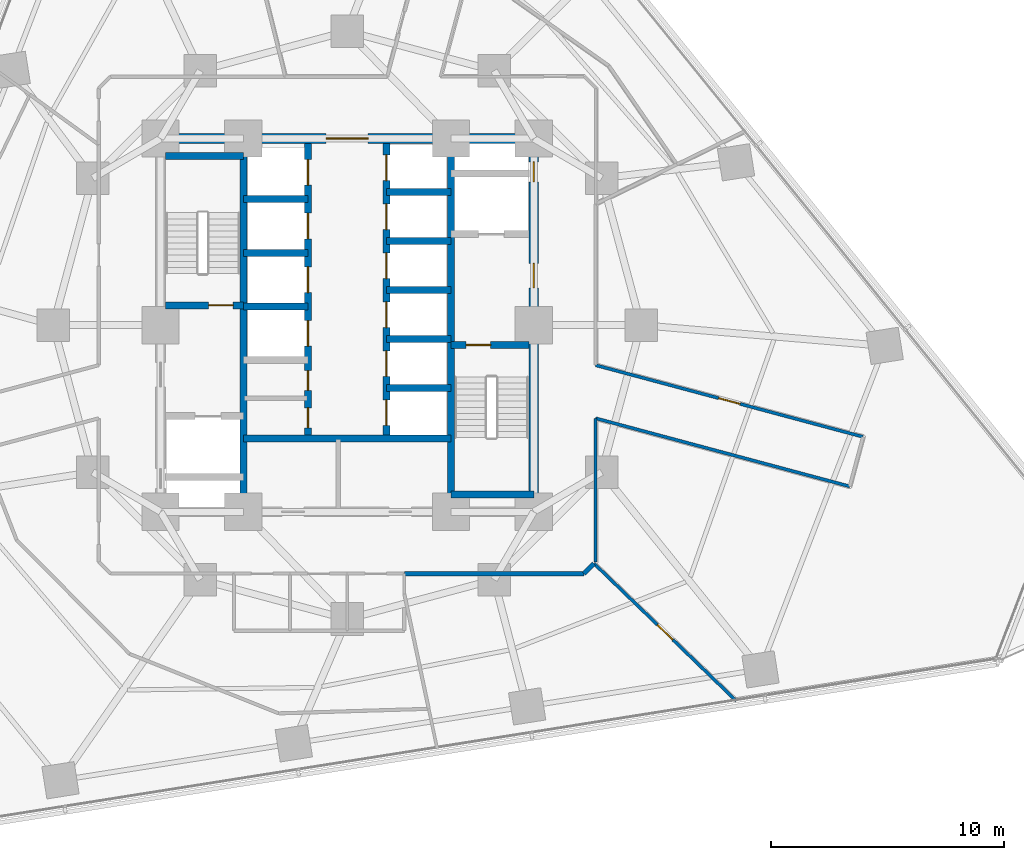
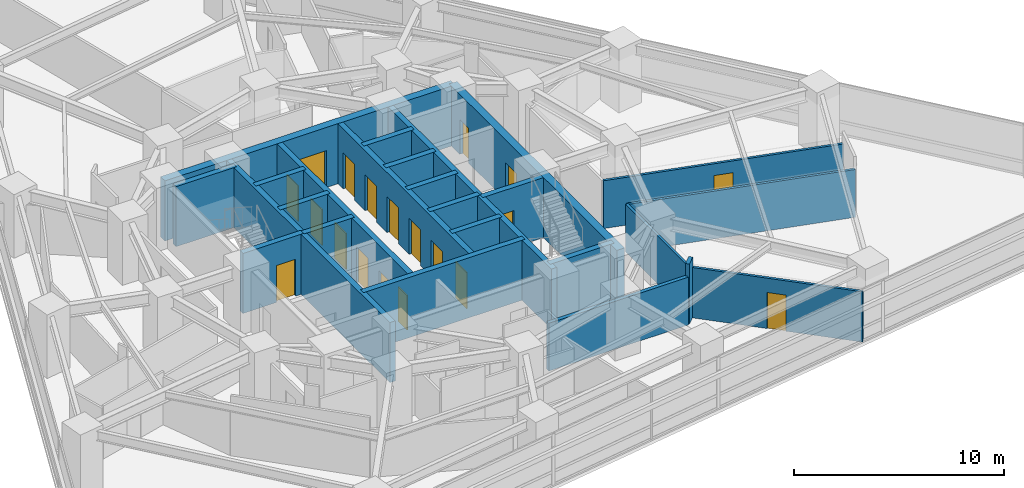
# One storey, part 8 of 14: 25 walls, 19 doors, 19 openings.
"""IFC4 building model written with IfcOpenShell, lengths in metres."""

from ifc_helpers import new_model, si_unit, direction, frame, frame_2d, origin, place, context, subcontext, project, spatial, rectangle, extrude, material, layer, layer_set, type_object, element, fill, save


model = new_model("IFC4")

# Units and contexts
model_context = context("Model", 3, precision=1e-05, world=origin(), true_north=direction((0.0, 1.0)))
body_context = subcontext(model_context, "Body", "Model", "MODEL_VIEW")
ifc_project = project(units=[si_unit("LENGTHUNIT", "METRE"), si_unit("AREAUNIT", "SQUARE_METRE"), si_unit("VOLUMEUNIT", "CUBIC_METRE"), si_unit("PLANEANGLEUNIT", "RADIAN"), si_unit("MASSUNIT", "GRAM", prefix="KILO")], contexts=[model_context])

# Site, building, storey
site_placement = place(None, origin())
site = spatial("IfcSite", under=ifc_project, at=site_placement, CompositionType="ELEMENT")
building_placement = place(site_placement, origin())
building = spatial("IfcBuilding", under=site, at=building_placement, Name="Terralouvre Media Tower", CompositionType="ELEMENT")
storey_placement = place(building_placement, frame((0.0, 0.0, 66.699951171875)))
storey = spatial("IfcBuildingStorey", under=building, at=storey_placement, Name="L16", CompositionType="ELEMENT", Elevation=66.699951171875)

# Walls
ifc_material_1 = material(Name="Concrete C50/60", Category="concrete")
ifc_layer_1 = layer(ifc_material_1, 0.300048828125, Name="Core Internal Shaft Wall CW-300")
ifc_layer_set_1 = layer_set([ifc_layer_1], Name="Concrete C50/60")
wall_type_1 = type_object("IfcWallType", Name="Core Internal Shaft Wall CW-300", PredefinedType="SHEAR", material=ifc_layer_set_1)
for number, where, z_axis, x_axis, name in (
    (1, (-4.449951171875, -7.7900390625, 0.0), (0.0, 0.0, 1.0), (0.0, 1.0, 0.0), "L16 Core Shaft Wall SPW"),
    (2, (4.449951171875, -7.7900390625, 0.0), (0.0, 0.0, 1.0), (0.0, 1.0, 0.0), "L16 Core Shaft Wall SPE"),
):
    element("IfcWall", number, at=place(storey_placement, frame(where, z_axis=z_axis, x_axis=x_axis)), inside=storey, type_object=wall_type_1, Name=name, PredefinedType="SHEAR", context=body_context, shape_type="SweptSolid", body=[
        extrude(rectangle(XDim=15.580078125, YDim=0.300048828125, at=frame_2d((7.7900390625, 0.0))), origin(), (0.0, 0.0, 1.0), 3.5),
    ])

# Wall, opening, door
wall_1_placement = place(storey_placement, frame((-7.7900390625, 0.85009765625, 0.0), z_axis=(0.0, 0.0, 1.0), x_axis=(1.0, 0.0, 0.0)))
wall_1 = element("IfcWall", 3, at=wall_1_placement, inside=storey, type_object=wall_type_1, Name="L16 Core Shaft Wall ST1D", PredefinedType="SHEAR", context=body_context, shape_type="SweptSolid", body=[
    extrude(rectangle(XDim=3.340087890625, YDim=0.300048828125, at=frame_2d((1.669921875, 0.0))), origin(), (0.0, 0.0, 1.0), 3.5),
])
opening_1_placement = place(wall_1_placement, frame((1.85009765625, 0.0, 0.0)))
opening_1 = element("IfcOpeningElement", 4, at=opening_1_placement, cuts=wall_1, Name="Opening FD-01-105X215", PredefinedType="OPENING", context=body_context, shape_type="SweptSolid", body=[
    extrude(rectangle(XDim=1.050048828125, YDim=2.14990234375, at=frame_2d((0.52490234375, 1.074951171875))), frame((0.0, 0.159912109375, 0.0), z_axis=(0.0, -1.0, 0.0), x_axis=(1.0, 0.0, 0.0)), (0.0, 0.0, 1.0), 0.320068359375),
])
ifc_material_2 = material(Name="Galvanised steel fire-resisting leaf", Category="steel")
door_type_1 = type_object("IfcDoorType", Name="Stair and Firefighting Lobby Fire Door FD-01 (1050x2150)", OperationType="NOTDEFINED", PredefinedType="DOOR", material=ifc_material_2)
door_1_placement = place(opening_1_placement, origin())
door_1 = element("IfcDoor", 5, at=door_1_placement, inside=storey, type_object=door_type_1, Name="L16 ST-01 Exit Stair Door", OperationType="SINGLE_SWING_LEFT", OverallHeight=2.14990234375, OverallWidth=1.050048828125, PredefinedType="DOOR", context=body_context, shape_type="SweptSolid", body=[
    extrude(rectangle(XDim=1.050048828125, YDim=2.14990234375, at=frame_2d((0.52490234375, 1.074951171875))), frame((0.0, 0.02490234375, 0.0), z_axis=(0.0, -1.0, 0.0), x_axis=(1.0, 0.0, 0.0)), (0.0, 0.0, 1.0), 0.050048828125),
])
fill(opening_1, door_1)

# Wall
wall_2_placement = place(storey_placement, frame((-7.7900390625, 7.260009765625, 0.0), z_axis=(0.0, 0.0, 1.0), x_axis=(1.0, 0.0, 0.0)))
element("IfcWall", 6, at=wall_2_placement, inside=storey, type_object=wall_type_1, Name="L16 Core Shaft Wall ST1F", PredefinedType="SHEAR", context=body_context, shape_type="SweptSolid", body=[
    extrude(rectangle(XDim=3.340087890625, YDim=0.300048828125, at=frame_2d((1.669921875, 0.0))), origin(), (0.0, 0.0, 1.0), 3.5),
])

# Wall, opening, door
wall_3_placement = place(storey_placement, frame((4.449951171875, -0.85009765625, 0.0), z_axis=(0.0, 0.0, 1.0), x_axis=(1.0, 0.0, 0.0)))
wall_3 = element("IfcWall", 7, at=wall_3_placement, inside=storey, type_object=wall_type_1, Name="L16 Core Shaft Wall ST2D", PredefinedType="SHEAR", context=body_context, shape_type="SweptSolid", body=[
    extrude(rectangle(XDim=3.340087890625, YDim=0.300048828125, at=frame_2d((1.669921875, 0.0))), origin(), (0.0, 0.0, 1.0), 3.5),
])
opening_2_placement = place(wall_3_placement, frame((0.64990234375, 0.0, 0.0)))
opening_2 = element("IfcOpeningElement", 8, at=opening_2_placement, cuts=wall_3, Name="Opening FD-01-105X215", PredefinedType="OPENING", context=body_context, shape_type="SweptSolid", body=[
    extrude(rectangle(XDim=1.050048828125, YDim=2.14990234375, at=frame_2d((0.52490234375, 1.074951171875))), frame((0.0, 0.159912109375, 0.0), z_axis=(0.0, -1.0, 0.0), x_axis=(1.0, 0.0, 0.0)), (0.0, 0.0, 1.0), 0.320068359375),
])
door_2_placement = place(opening_2_placement, origin())
door_2 = element("IfcDoor", 9, at=door_2_placement, inside=storey, type_object=door_type_1, Name="L16 ST-02 Exit Stair Door", OperationType="SINGLE_SWING_RIGHT", OverallHeight=2.14990234375, OverallWidth=1.050048828125, PredefinedType="DOOR", context=body_context, shape_type="SweptSolid", body=[
    extrude(rectangle(XDim=1.050048828125, YDim=2.14990234375, at=frame_2d((0.52490234375, 1.074951171875))), frame((0.0, 0.02490234375, 0.0), z_axis=(0.0, -1.0, 0.0), x_axis=(1.0, 0.0, 0.0)), (0.0, 0.0, 1.0), 0.050048828125),
])
fill(opening_2, door_2)

# Walls
wall_4_placement = place(storey_placement, frame((4.449951171875, -7.260009765625, 0.0), z_axis=(0.0, 0.0, 1.0), x_axis=(1.0, 0.0, 0.0)))
element("IfcWall", 10, at=wall_4_placement, inside=storey, type_object=wall_type_1, Name="L16 Core Shaft Wall ST2F", PredefinedType="SHEAR", context=body_context, shape_type="SweptSolid", body=[
    extrude(rectangle(XDim=3.550048828125, YDim=0.300048828125, at=frame_2d((1.77490234375, 0.0))), origin(), (0.0, 0.0, 1.0), 3.5),
])
wall_5_placement = place(storey_placement, frame((-4.449951171875, -4.85009765625, 0.0), z_axis=(0.0, 0.0, 1.0), x_axis=(1.0, 0.0, 0.0)))
element("IfcWall", 11, at=wall_5_placement, inside=storey, type_object=wall_type_1, Name="L16 Core Shaft Wall CSBN", PredefinedType="SHEAR", context=body_context, shape_type="SweptSolid", body=[
    extrude(rectangle(XDim=8.89990234375, YDim=0.300048828125, at=frame_2d((4.449951171875, 0.0))), origin(), (0.0, 0.0, 1.0), 3.5),
])

# Wall, openings, doors
wall_6_placement = place(storey_placement, frame((-1.679931640625, -4.85009765625, 0.0), z_axis=(0.0, 0.0, 1.0), x_axis=(0.0, 1.0, 0.0)))
wall_6 = element("IfcWall", 12, at=wall_6_placement, inside=storey, type_object=wall_type_1, Name="L16 Core Shaft Wall LBW", PredefinedType="SHEAR", context=body_context, shape_type="SweptSolid", body=[
    extrude(rectangle(XDim=12.64013671875, YDim=0.300048828125, at=frame_2d((6.320068359375, 0.0))), origin(), (0.0, 0.0, 1.0), 3.5),
])
opening_3_placement = place(wall_6_placement, frame((3.949951171875, 0.0, 0.0)))
opening_3 = element("IfcOpeningElement", 13, at=opening_3_placement, cuts=wall_6, Name="Opening LD-PL", PredefinedType="OPENING", context=body_context, shape_type="SweptSolid", body=[
    extrude(rectangle(XDim=1.10009765625, YDim=2.10009765625, at=frame_2d((0.550048828125, 1.050048828125))), frame((0.0, 0.159912109375, 0.0), z_axis=(0.0, -1.0, 0.0), x_axis=(1.0, 0.0, 0.0)), (0.0, 0.0, 1.0), 0.320068359375),
])
opening_4_placement = place(wall_6_placement, frame((6.25, 0.0, 0.0)))
opening_4 = element("IfcOpeningElement", 14, at=opening_4_placement, cuts=wall_6, Name="Opening LD-PL", PredefinedType="OPENING", context=body_context, shape_type="SweptSolid", body=[
    extrude(rectangle(XDim=1.10009765625, YDim=2.10009765625, at=frame_2d((0.550048828125, 1.050048828125))), frame((0.0, 0.159912109375, 0.0), z_axis=(0.0, -1.0, 0.0), x_axis=(1.0, 0.0, 0.0)), (0.0, 0.0, 1.0), 0.320068359375),
])
opening_5_placement = place(wall_6_placement, frame((8.550048828125, 0.0, 0.0)))
opening_5 = element("IfcOpeningElement", 15, at=opening_5_placement, cuts=wall_6, Name="Opening LD-PL", PredefinedType="OPENING", context=body_context, shape_type="SweptSolid", body=[
    extrude(rectangle(XDim=1.10009765625, YDim=2.10009765625, at=frame_2d((0.550048828125, 1.050048828125))), frame((0.0, 0.159912109375, 0.0), z_axis=(0.0, -1.0, 0.0), x_axis=(1.0, 0.0, 0.0)), (0.0, 0.0, 1.0), 0.320068359375),
])
opening_6_placement = place(wall_6_placement, frame((10.85009765625, 0.0, 0.0)))
opening_6 = element("IfcOpeningElement", 16, at=opening_6_placement, cuts=wall_6, Name="Opening LD-PL", PredefinedType="OPENING", context=body_context, shape_type="SweptSolid", body=[
    extrude(rectangle(XDim=1.10009765625, YDim=2.10009765625, at=frame_2d((0.550048828125, 1.050048828125))), frame((0.0, 0.159912109375, 0.0), z_axis=(0.0, -1.0, 0.0), x_axis=(1.0, 0.0, 0.0)), (0.0, 0.0, 1.0), 0.320068359375),
])
opening_7_placement = place(wall_6_placement, frame((0.449951171875, 0.0, 0.0)))
opening_7 = element("IfcOpeningElement", 17, at=opening_7_placement, cuts=wall_6, Name="Opening TD-R1", PredefinedType="OPENING", context=body_context, shape_type="SweptSolid", body=[
    extrude(rectangle(XDim=0.85009765625, YDim=2.02001953125, at=frame_2d((0.425048828125, 1.010009765625))), frame((0.0, 0.159912109375, 0.0), z_axis=(0.0, -1.0, 0.0), x_axis=(1.0, 0.0, 0.0)), (0.0, 0.0, 1.0), 0.320068359375),
])
opening_8_placement = place(wall_6_placement, frame((2.050048828125, 0.0, 0.0)))
opening_8 = element("IfcOpeningElement", 18, at=opening_8_placement, cuts=wall_6, Name="Opening TD-R1", PredefinedType="OPENING", context=body_context, shape_type="SweptSolid", body=[
    extrude(rectangle(XDim=0.85009765625, YDim=2.02001953125, at=frame_2d((0.425048828125, 1.010009765625))), frame((0.0, 0.159912109375, 0.0), z_axis=(0.0, -1.0, 0.0), x_axis=(1.0, 0.0, 0.0)), (0.0, 0.0, 1.0), 0.320068359375),
])
ifc_material_3 = material(Name="Stainless steel 316 handrail and balustrade", Category="steel")
door_type_2 = type_object("IfcDoorType", Name="Passenger Lift Sliding Landing Door LD-PL", OperationType="SLIDING_TO_LEFT", PredefinedType="DOOR", material=ifc_material_3)
door_3_placement = place(opening_3_placement, origin())
door_3 = element("IfcDoor", 19, at=door_3_placement, inside=storey, type_object=door_type_2, Name="L16 Low-Rise Lift PL-L1 Landing Door", OperationType="SLIDING_TO_LEFT", OverallHeight=2.10009765625, OverallWidth=1.10009765625, PredefinedType="DOOR", context=body_context, shape_type="SweptSolid", body=[
    extrude(rectangle(XDim=1.10009765625, YDim=2.10009765625, at=frame_2d((0.550048828125, 1.050048828125))), frame((0.0, 0.02490234375, 0.0), z_axis=(0.0, -1.0, 0.0), x_axis=(1.0, 0.0, 0.0)), (0.0, 0.0, 1.0), 0.050048828125),
])
fill(opening_3, door_3)
door_4_placement = place(opening_4_placement, origin())
door_4 = element("IfcDoor", 20, at=door_4_placement, inside=storey, type_object=door_type_2, Name="L16 Low-Rise Lift PL-L2 Landing Door", OperationType="SLIDING_TO_LEFT", OverallHeight=2.10009765625, OverallWidth=1.10009765625, PredefinedType="DOOR", context=body_context, shape_type="SweptSolid", body=[
    extrude(rectangle(XDim=1.10009765625, YDim=2.10009765625, at=frame_2d((0.550048828125, 1.050048828125))), frame((0.0, 0.02490234375, 0.0), z_axis=(0.0, -1.0, 0.0), x_axis=(1.0, 0.0, 0.0)), (0.0, 0.0, 1.0), 0.050048828125),
])
fill(opening_4, door_4)
door_5_placement = place(opening_5_placement, origin())
door_5 = element("IfcDoor", 21, at=door_5_placement, inside=storey, type_object=door_type_2, Name="L16 Low-Rise Lift PL-L3 Landing Door", OperationType="SLIDING_TO_LEFT", OverallHeight=2.10009765625, OverallWidth=1.10009765625, PredefinedType="DOOR", context=body_context, shape_type="SweptSolid", body=[
    extrude(rectangle(XDim=1.10009765625, YDim=2.10009765625, at=frame_2d((0.550048828125, 1.050048828125))), frame((0.0, 0.02490234375, 0.0), z_axis=(0.0, -1.0, 0.0), x_axis=(1.0, 0.0, 0.0)), (0.0, 0.0, 1.0), 0.050048828125),
])
fill(opening_5, door_5)
door_6_placement = place(opening_6_placement, origin())
door_6 = element("IfcDoor", 22, at=door_6_placement, inside=storey, type_object=door_type_2, Name="L16 Low-Rise Lift PL-L4 Landing Door", OperationType="SLIDING_TO_LEFT", OverallHeight=2.10009765625, OverallWidth=1.10009765625, PredefinedType="DOOR", context=body_context, shape_type="SweptSolid", body=[
    extrude(rectangle(XDim=1.10009765625, YDim=2.10009765625, at=frame_2d((0.550048828125, 1.050048828125))), frame((0.0, 0.02490234375, 0.0), z_axis=(0.0, -1.0, 0.0), x_axis=(1.0, 0.0, 0.0)), (0.0, 0.0, 1.0), 0.050048828125),
])
fill(opening_6, door_6)
ifc_material_4 = material(Name="Galvanised steel fire-resisting leaf", Category="steel")
door_type_3 = type_object("IfcDoorType", Name="Riser Inspection Access Trapdoor TD-R1", OperationType="NOTDEFINED", PredefinedType="TRAPDOOR", material=ifc_material_4)
door_7_placement = place(opening_7_placement, origin())
door_7 = element("IfcDoor", 23, at=door_7_placement, inside=storey, type_object=door_type_3, Name="L16 Core Cleaners Closet Door", OperationType="SINGLE_SWING_LEFT", OverallHeight=2.02001953125, OverallWidth=0.85009765625, PredefinedType="TRAPDOOR", context=body_context, shape_type="SweptSolid", body=[
    extrude(rectangle(XDim=0.85009765625, YDim=2.02001953125, at=frame_2d((0.425048828125, 1.010009765625))), frame((0.0, 0.02490234375, 0.0), z_axis=(0.0, -1.0, 0.0), x_axis=(1.0, 0.0, 0.0)), (0.0, 0.0, 1.0), 0.050048828125),
])
fill(opening_7, door_7)
door_8_placement = place(opening_8_placement, origin())
door_8 = element("IfcDoor", 24, at=door_8_placement, inside=storey, type_object=door_type_3, Name="L16 Core Metering Closet Door", OperationType="SINGLE_SWING_RIGHT", OverallHeight=2.02001953125, OverallWidth=0.85009765625, PredefinedType="TRAPDOOR", context=body_context, shape_type="SweptSolid", body=[
    extrude(rectangle(XDim=0.85009765625, YDim=2.02001953125, at=frame_2d((0.425048828125, 1.010009765625))), frame((0.0, 0.02490234375, 0.0), z_axis=(0.0, -1.0, 0.0), x_axis=(1.0, 0.0, 0.0)), (0.0, 0.0, 1.0), 0.050048828125),
])
fill(opening_8, door_8)

wall_7_placement = place(storey_placement, frame((1.679931640625, -4.85009765625, 0.0), z_axis=(0.0, 0.0, 1.0), x_axis=(0.0, 1.0, 0.0)))
wall_7 = element("IfcWall", 25, at=wall_7_placement, inside=storey, type_object=wall_type_1, Name="L16 Core Shaft Wall LBE", PredefinedType="SHEAR", context=body_context, shape_type="SweptSolid", body=[
    extrude(rectangle(XDim=12.64013671875, YDim=0.300048828125, at=frame_2d((6.320068359375, 0.0))), origin(), (0.0, 0.0, 1.0), 3.5),
])
opening_9_placement = place(wall_7_placement, frame((0.550048828125, 0.0, 0.0)))
opening_9 = element("IfcOpeningElement", 26, at=opening_9_placement, cuts=wall_7, Name="Opening LD-PL", PredefinedType="OPENING", context=body_context, shape_type="SweptSolid", body=[
    extrude(rectangle(XDim=1.10009765625, YDim=2.10009765625, at=frame_2d((0.550048828125, 1.050048828125))), frame((0.0, 0.159912109375, 0.0), z_axis=(0.0, -1.0, 0.0), x_axis=(1.0, 0.0, 0.0)), (0.0, 0.0, 1.0), 0.320068359375),
])
opening_10_placement = place(wall_7_placement, frame((2.64990234375, 0.0, 0.0)))
opening_10 = element("IfcOpeningElement", 27, at=opening_10_placement, cuts=wall_7, Name="Opening LD-PL", PredefinedType="OPENING", context=body_context, shape_type="SweptSolid", body=[
    extrude(rectangle(XDim=1.10009765625, YDim=2.10009765625, at=frame_2d((0.550048828125, 1.050048828125))), frame((0.0, 0.159912109375, 0.0), z_axis=(0.0, -1.0, 0.0), x_axis=(1.0, 0.0, 0.0)), (0.0, 0.0, 1.0), 0.320068359375),
])
opening_11_placement = place(wall_7_placement, frame((4.75, 0.0, 0.0)))
opening_11 = element("IfcOpeningElement", 28, at=opening_11_placement, cuts=wall_7, Name="Opening LD-PL", PredefinedType="OPENING", context=body_context, shape_type="SweptSolid", body=[
    extrude(rectangle(XDim=1.10009765625, YDim=2.10009765625, at=frame_2d((0.550048828125, 1.050048828125))), frame((0.0, 0.159912109375, 0.0), z_axis=(0.0, -1.0, 0.0), x_axis=(1.0, 0.0, 0.0)), (0.0, 0.0, 1.0), 0.320068359375),
])
opening_12_placement = place(wall_7_placement, frame((6.85009765625, 0.0, 0.0)))
opening_12 = element("IfcOpeningElement", 29, at=opening_12_placement, cuts=wall_7, Name="Opening LD-PL", PredefinedType="OPENING", context=body_context, shape_type="SweptSolid", body=[
    extrude(rectangle(XDim=1.10009765625, YDim=2.10009765625, at=frame_2d((0.550048828125, 1.050048828125))), frame((0.0, 0.159912109375, 0.0), z_axis=(0.0, -1.0, 0.0), x_axis=(1.0, 0.0, 0.0)), (0.0, 0.0, 1.0), 0.320068359375),
])
opening_13_placement = place(wall_7_placement, frame((8.949951171875, 0.0, 0.0)))
opening_13 = element("IfcOpeningElement", 30, at=opening_13_placement, cuts=wall_7, Name="Opening LD-PL", PredefinedType="OPENING", context=body_context, shape_type="SweptSolid", body=[
    extrude(rectangle(XDim=1.10009765625, YDim=2.10009765625, at=frame_2d((0.550048828125, 1.050048828125))), frame((0.0, 0.159912109375, 0.0), z_axis=(0.0, -1.0, 0.0), x_axis=(1.0, 0.0, 0.0)), (0.0, 0.0, 1.0), 0.320068359375),
])
opening_14_placement = place(wall_7_placement, frame((11.050048828125, 0.0, 0.0)))
opening_14 = element("IfcOpeningElement", 31, at=opening_14_placement, cuts=wall_7, Name="Opening LD-PL", PredefinedType="OPENING", context=body_context, shape_type="SweptSolid", body=[
    extrude(rectangle(XDim=1.10009765625, YDim=2.10009765625, at=frame_2d((0.550048828125, 1.050048828125))), frame((0.0, 0.159912109375, 0.0), z_axis=(0.0, -1.0, 0.0), x_axis=(1.0, 0.0, 0.0)), (0.0, 0.0, 1.0), 0.320068359375),
])
door_9_placement = place(opening_9_placement, origin())
door_9 = element("IfcDoor", 32, at=door_9_placement, inside=storey, type_object=door_type_2, Name="L16 High-Rise Lift PL-H1 Landing Door", OperationType="SLIDING_TO_LEFT", OverallHeight=2.10009765625, OverallWidth=1.10009765625, PredefinedType="DOOR", context=body_context, shape_type="SweptSolid", body=[
    extrude(rectangle(XDim=1.10009765625, YDim=2.10009765625, at=frame_2d((0.550048828125, 1.050048828125))), frame((0.0, 0.02490234375, 0.0), z_axis=(0.0, -1.0, 0.0), x_axis=(1.0, 0.0, 0.0)), (0.0, 0.0, 1.0), 0.050048828125),
])
fill(opening_9, door_9)
door_10_placement = place(opening_10_placement, origin())
door_10 = element("IfcDoor", 33, at=door_10_placement, inside=storey, type_object=door_type_2, Name="L16 High-Rise Lift PL-H2 Landing Door", OperationType="SLIDING_TO_LEFT", OverallHeight=2.10009765625, OverallWidth=1.10009765625, PredefinedType="DOOR", context=body_context, shape_type="SweptSolid", body=[
    extrude(rectangle(XDim=1.10009765625, YDim=2.10009765625, at=frame_2d((0.550048828125, 1.050048828125))), frame((0.0, 0.02490234375, 0.0), z_axis=(0.0, -1.0, 0.0), x_axis=(1.0, 0.0, 0.0)), (0.0, 0.0, 1.0), 0.050048828125),
])
fill(opening_10, door_10)
door_11_placement = place(opening_11_placement, origin())
door_11 = element("IfcDoor", 34, at=door_11_placement, inside=storey, type_object=door_type_2, Name="L16 High-Rise Lift PL-H3 Landing Door", OperationType="SLIDING_TO_LEFT", OverallHeight=2.10009765625, OverallWidth=1.10009765625, PredefinedType="DOOR", context=body_context, shape_type="SweptSolid", body=[
    extrude(rectangle(XDim=1.10009765625, YDim=2.10009765625, at=frame_2d((0.550048828125, 1.050048828125))), frame((0.0, 0.02490234375, 0.0), z_axis=(0.0, -1.0, 0.0), x_axis=(1.0, 0.0, 0.0)), (0.0, 0.0, 1.0), 0.050048828125),
])
fill(opening_11, door_11)
door_12_placement = place(opening_12_placement, origin())
door_12 = element("IfcDoor", 35, at=door_12_placement, inside=storey, type_object=door_type_2, Name="L16 Mid-Rise Lift PL-M1 Landing Door", OperationType="SLIDING_TO_LEFT", OverallHeight=2.10009765625, OverallWidth=1.10009765625, PredefinedType="DOOR", context=body_context, shape_type="SweptSolid", body=[
    extrude(rectangle(XDim=1.10009765625, YDim=2.10009765625, at=frame_2d((0.550048828125, 1.050048828125))), frame((0.0, 0.02490234375, 0.0), z_axis=(0.0, -1.0, 0.0), x_axis=(1.0, 0.0, 0.0)), (0.0, 0.0, 1.0), 0.050048828125),
])
fill(opening_12, door_12)
door_13_placement = place(opening_13_placement, origin())
door_13 = element("IfcDoor", 36, at=door_13_placement, inside=storey, type_object=door_type_2, Name="L16 Mid-Rise Lift PL-M2 Landing Door", OperationType="SLIDING_TO_LEFT", OverallHeight=2.10009765625, OverallWidth=1.10009765625, PredefinedType="DOOR", context=body_context, shape_type="SweptSolid", body=[
    extrude(rectangle(XDim=1.10009765625, YDim=2.10009765625, at=frame_2d((0.550048828125, 1.050048828125))), frame((0.0, 0.02490234375, 0.0), z_axis=(0.0, -1.0, 0.0), x_axis=(1.0, 0.0, 0.0)), (0.0, 0.0, 1.0), 0.050048828125),
])
fill(opening_13, door_13)
door_14_placement = place(opening_14_placement, origin())
door_14 = element("IfcDoor", 37, at=door_14_placement, inside=storey, type_object=door_type_2, Name="L16 Mid-Rise Lift PL-M3 Landing Door", OperationType="SLIDING_TO_LEFT", OverallHeight=2.10009765625, OverallWidth=1.10009765625, PredefinedType="DOOR", context=body_context, shape_type="SweptSolid", body=[
    extrude(rectangle(XDim=1.10009765625, YDim=2.10009765625, at=frame_2d((0.550048828125, 1.050048828125))), frame((0.0, 0.02490234375, 0.0), z_axis=(0.0, -1.0, 0.0), x_axis=(1.0, 0.0, 0.0)), (0.0, 0.0, 1.0), 0.050048828125),
])
fill(opening_14, door_14)

# Walls
for number, where, z_axis, x_axis, name in (
    (38, (-4.449951171875, 0.800048828125, 0.0), (0.0, 0.0, 1.0), (1.0, 0.0, 0.0), "L16 Core Shaft Wall PLLD1"),
    (39, (-4.449951171875, 3.10009765625, 0.0), (0.0, 0.0, 1.0), (1.0, 0.0, 0.0), "L16 Core Shaft Wall PLLD2"),
    (40, (-4.449951171875, 5.39990234375, 0.0), (0.0, 0.0, 1.0), (1.0, 0.0, 0.0), "L16 Core Shaft Wall PLLD3"),
    (41, (1.679931640625, 1.5, 0.0), (0.0, 0.0, 1.0), (1.0, 0.0, 0.0), "L16 Core Shaft Wall PLMD0"),
    (42, (1.679931640625, 3.60009765625, 0.0), (0.0, 0.0, 1.0), (1.0, 0.0, 0.0), "L16 Core Shaft Wall PLMD1"),
    (43, (1.679931640625, 5.699951171875, 0.0), (0.0, 0.0, 1.0), (1.0, 0.0, 0.0), "L16 Core Shaft Wall PLMD2"),
    (44, (1.679931640625, -2.699951171875, 0.0), (0.0, 0.0, 1.0), (1.0, 0.0, 0.0), "L16 Core Shaft Wall PLHD1"),
    (45, (1.679931640625, -0.60009765625, 0.0), (0.0, 0.0, 1.0), (1.0, 0.0, 0.0), "L16 Core Shaft Wall PLHD2"),
):
    element("IfcWall", number, at=place(storey_placement, frame(where, z_axis=z_axis, x_axis=x_axis)), inside=storey, type_object=wall_type_1, Name=name, PredefinedType="SHEAR", context=body_context, shape_type="SweptSolid", body=[
        extrude(rectangle(XDim=2.77001953125, YDim=0.300048828125, at=frame_2d((1.385009765625, 0.0))), origin(), (0.0, 0.0, 1.0), 3.5),
    ])

# Wall, openings, doors
ifc_material_5 = material(Name="Concrete C60/75", Category="concrete")
ifc_layer_2 = layer(ifc_material_5, 0.419921875, Name="Core Reinforced Concrete Shear Wall CW-420")
ifc_layer_set_2 = layer_set([ifc_layer_2], Name="Concrete C60/75")
wall_type_2 = type_object("IfcWallType", Name="Core Reinforced Concrete Shear Wall CW-420", PredefinedType="SHEAR", material=ifc_layer_set_2)
wall_8_placement = place(storey_placement, frame((8.0, -8.0, 0.0), z_axis=(0.0, 0.0, 1.0), x_axis=(0.0, 1.0, 0.0)))
wall_8 = element("IfcWall", 46, at=wall_8_placement, inside=storey, type_object=wall_type_2, Name="L16 E Core Shear Wall", PredefinedType="SHEAR", context=body_context, shape_type="SweptSolid", body=[
    extrude(rectangle(XDim=16.0, YDim=0.419921875, at=frame_2d((8.0, 0.0))), origin(), (0.0, 0.0, 1.0), 3.5),
])
opening_15_placement = place(wall_8_placement, frame((9.60009765625, 0.0, 0.0)))
opening_15 = element("IfcOpeningElement", 47, at=opening_15_placement, cuts=wall_8, Name="Opening FD-01-105X215", PredefinedType="OPENING", context=body_context, shape_type="SweptSolid", body=[
    extrude(rectangle(XDim=1.050048828125, YDim=2.14990234375, at=frame_2d((0.52490234375, 1.074951171875))), frame((0.0, 0.219970703125, 0.0), z_axis=(0.0, -1.0, 0.0), x_axis=(1.0, 0.0, 0.0)), (0.0, 0.0, 1.0), 0.43994140625),
])
opening_16_placement = place(wall_8_placement, frame((14.148193359375, 0.0, 0.0)))
opening_16 = element("IfcOpeningElement", 48, at=opening_16_placement, cuts=wall_8, Name="Opening TD-R1", PredefinedType="OPENING", context=body_context, shape_type="SweptSolid", body=[
    extrude(rectangle(XDim=0.85009765625, YDim=2.02001953125, at=frame_2d((0.425048828125, 1.010009765625))), frame((0.0, 0.219970703125, 0.0), z_axis=(0.0, -1.0, 0.0), x_axis=(1.0, 0.0, 0.0)), (0.0, 0.0, 1.0), 0.43994140625),
])
door_15_placement = place(opening_16_placement, origin())
door_15 = element("IfcDoor", 49, at=door_15_placement, inside=storey, type_object=door_type_3, Name="L16 East Comms Riser Access Trapdoor", OperationType="SINGLE_SWING_RIGHT", OverallHeight=2.02001953125, OverallWidth=0.85009765625, PredefinedType="TRAPDOOR", context=body_context, shape_type="SweptSolid", body=[
    extrude(rectangle(XDim=0.85009765625, YDim=2.02001953125, at=frame_2d((0.425048828125, 1.010009765625))), frame((0.0, 0.02490234375, 0.0), z_axis=(0.0, -1.0, 0.0), x_axis=(1.0, 0.0, 0.0)), (0.0, 0.0, 1.0), 0.050048828125),
])
fill(opening_16, door_15)
door_16_placement = place(opening_15_placement, origin())
door_16 = element("IfcDoor", 50, at=door_16_placement, inside=storey, type_object=door_type_1, Name="L16 East Firefighting Lobby Entry Door", OperationType="SINGLE_SWING_LEFT", OverallHeight=2.14990234375, OverallWidth=1.050048828125, PredefinedType="DOOR", context=body_context, shape_type="SweptSolid", body=[
    extrude(rectangle(XDim=1.050048828125, YDim=2.14990234375, at=frame_2d((0.52490234375, 1.074951171875))), frame((0.0, 0.02490234375, 0.0), z_axis=(0.0, -1.0, 0.0), x_axis=(1.0, 0.0, 0.0)), (0.0, 0.0, 1.0), 0.050048828125),
])
fill(opening_15, door_16)

# Wall, opening, door
wall_9_placement = place(storey_placement, frame((-8.0, 8.0, 0.0), z_axis=(0.0, 0.0, 1.0), x_axis=(1.0, 0.0, 0.0)))
wall_9 = element("IfcWall", 51, at=wall_9_placement, inside=storey, type_object=wall_type_2, Name="L16 N Core Shear Wall", PredefinedType="SHEAR", context=body_context, shape_type="SweptSolid", body=[
    extrude(rectangle(XDim=16.0, YDim=0.419921875, at=frame_2d((8.0, 0.0))), origin(), (0.0, 0.0, 1.0), 3.5),
])
opening_17_placement = place(wall_9_placement, frame((7.10009765625, 0.0, 0.0)))
opening_17 = element("IfcOpeningElement", 52, at=opening_17_placement, cuts=wall_9, Name="Opening FD-03", PredefinedType="OPENING", context=body_context, shape_type="SweptSolid", body=[
    extrude(rectangle(XDim=1.800048828125, YDim=2.14990234375, at=frame_2d((0.89990234375, 1.074951171875))), frame((0.0, 0.219970703125, 0.0), z_axis=(0.0, -1.0, 0.0), x_axis=(1.0, 0.0, 0.0)), (0.0, 0.0, 1.0), 0.43994140625),
])
ifc_material_6 = material(Name="Galvanised steel fire-resisting leaf", Category="steel")
door_type_4 = type_object("IfcDoorType", Name="Corridor Smoke-Control Double Door FD-03", OperationType="DOUBLE_DOOR_SINGLE_SWING", PredefinedType="DOOR", material=ifc_material_6)
door_17_placement = place(opening_17_placement, origin())
door_17 = element("IfcDoor", 53, at=door_17_placement, inside=storey, type_object=door_type_4, Name="L16 Central Lift Lobby Portal Door", OperationType="DOUBLE_DOOR_SINGLE_SWING", OverallHeight=2.14990234375, OverallWidth=1.800048828125, PredefinedType="DOOR", context=body_context, shape_type="SweptSolid", body=[
    extrude(rectangle(XDim=1.800048828125, YDim=2.14990234375, at=frame_2d((0.89990234375, 1.074951171875))), frame((0.0, 0.02490234375, 0.0), z_axis=(0.0, -1.0, 0.0), x_axis=(1.0, 0.0, 0.0)), (0.0, 0.0, 1.0), 0.050048828125),
])
fill(opening_17, door_17)

# Walls
ifc_material_7 = material(Name="Fire-rated gypsum board drywall partition")
ifc_layer_3 = layer(ifc_material_7, 0.199951171875, Name="Fire-Rated Shaft and Lobby Partition FW-200")
ifc_layer_set_3 = layer_set([ifc_layer_3], Name="Fire-rated gypsum board drywall partition")
wall_type_3 = type_object("IfcWallType", Name="Fire-Rated Shaft and Lobby Partition FW-200", PredefinedType="SOLIDWALL", material=ifc_layer_set_3)
wall_10_placement = place(storey_placement, frame((2.449951171875, -10.64990234375, 0.0), z_axis=(0.0, 0.0, 1.0), x_axis=(1.0, 0.0, 0.0)))
element("IfcWall", 54, at=wall_10_placement, inside=storey, type_object=wall_type_3, Name="L16 Interior Partition 027", PredefinedType="SOLIDWALL", context=body_context, shape_type="SweptSolid", body=[
    extrude(rectangle(XDim=7.699951171875, YDim=0.199951171875, at=frame_2d((3.85009765625, 0.0))), origin(), (0.0, 0.0, 1.0), 2.78515625),
])
wall_11_placement = place(storey_placement, frame((10.14990234375, -10.64990234375, 0.0), z_axis=(0.0, 0.0, 1.0), x_axis=(0.70730655707, 0.706906948845, 0.0)))
element("IfcWall", 55, at=wall_11_placement, inside=storey, type_object=wall_type_3, Name="L16 Interior Partition 028", PredefinedType="SOLIDWALL", context=body_context, shape_type="SweptSolid", body=[
    extrude(rectangle(XDim=0.61083984375, YDim=0.199951171875, at=frame_2d((0.305419921875, 0.0))), origin(), (0.0, 0.0, 1.0), 3.5),
])
ifc_material_8 = material(Name="Fire-rated gypsum board drywall partition")
ifc_layer_4 = layer(ifc_material_8, 0.135009765625, Name="Newsroom Acoustic Partition PT-135")
ifc_layer_set_4 = layer_set([ifc_layer_4], Name="Fire-rated gypsum board drywall partition")
wall_type_4 = type_object("IfcWallType", Name="Newsroom Acoustic Partition PT-135", PredefinedType="PARTITIONING", material=ifc_layer_set_4)
wall_12_placement = place(storey_placement, frame((10.64990234375, -10.14990234375, 0.0), z_axis=(0.0, 0.0, 1.0), x_axis=(0.0, 1.0, 0.0)))
element("IfcWall", 56, at=wall_12_placement, inside=storey, type_object=wall_type_4, Name="L16 Interior Partition 001", PredefinedType="PARTITIONING", context=body_context, shape_type="SweptSolid", body=[
    extrude(rectangle(XDim=6.157958984375, YDim=0.135009765625, at=frame_2d((3.0791015625, 0.0))), origin(), (0.0, 0.0, 1.0), 2.78515625),
])
wall_13_placement = place(storey_placement, frame((10.64990234375, -3.991943359375, 0.0), z_axis=(0.0, 0.0, 1.0), x_axis=(0.965906888357, -0.258889712088, 0.0)))
element("IfcWall", 57, at=wall_13_placement, inside=storey, type_object=wall_type_4, Name="L16 Interior Partition 002", PredefinedType="PARTITIONING", context=body_context, shape_type="SweptSolid", body=[
    extrude(rectangle(XDim=11.279541015625, YDim=0.135009765625, at=frame_2d((5.6396484375, 0.0))), origin(), (0.0, 0.0, 1.0), 2.78515625),
])

# Wall, opening, door
wall_14_placement = place(storey_placement, frame((22.114990234375, -4.787109375, 0.0), z_axis=(0.0, 0.0, 1.0), x_axis=(-0.965926659449, 0.258815935688, 0.0)))
wall_14 = element("IfcWall", 58, at=wall_14_placement, inside=storey, type_object=wall_type_4, Name="L16 Interior Partition 004", PredefinedType="PARTITIONING", context=body_context, shape_type="SweptSolid", body=[
    extrude(rectangle(XDim=11.86962890625, YDim=0.135009765625, at=frame_2d((5.934814453125, 0.0))), origin(), (0.0, 0.0, 1.0), 2.78515625),
])
opening_18_placement = place(wall_14_placement, frame((5.459716796875, 0.0, 0.0)))
opening_18 = element("IfcOpeningElement", 59, at=opening_18_placement, cuts=wall_14, Name="Opening ID-02-95X210", PredefinedType="OPENING", context=body_context, shape_type="SweptSolid", body=[
    extrude(rectangle(XDim=0.949951171875, YDim=2.10009765625, at=frame_2d((0.47509765625, 1.050048828125))), frame((0.0, 0.077392578125, 0.0), z_axis=(0.0, -1.0, 0.0), x_axis=(1.0, 0.0, 0.0)), (0.0, 0.0, 1.0), 0.155029296875),
])
ifc_material_9 = material(Name="Engineered hardwood acoustic timber leaf", Category="wood")
door_type_5 = type_object("IfcDoorType", Name="Office and Meeting Room Door ID-02 (950x2100)", OperationType="NOTDEFINED", PredefinedType="DOOR", material=ifc_material_9)
door_18_placement = place(opening_18_placement, origin())
door_18 = element("IfcDoor", 60, at=door_18_placement, inside=storey, type_object=door_type_5, Name="L16 Podcast Host Green Lounge 1 Door", OperationType="SINGLE_SWING_RIGHT", OverallHeight=2.10009765625, OverallWidth=0.949951171875, PredefinedType="DOOR", context=body_context, shape_type="SweptSolid", body=[
    extrude(rectangle(XDim=0.949951171875, YDim=2.10009765625, at=frame_2d((0.47509765625, 1.050048828125))), frame((0.0, 0.02490234375, 0.0), z_axis=(0.0, -1.0, 0.0), x_axis=(1.0, 0.0, 0.0)), (0.0, 0.0, 1.0), 0.050048828125),
])
fill(opening_18, door_18)

wall_15_placement = place(storey_placement, frame((10.58203125, -10.218017578125, 0.0), z_axis=(0.0, 0.0, 1.0), x_axis=(0.719282851578, -0.694717337789, 0.0)))
wall_15 = element("IfcWall", 61, at=wall_15_placement, inside=storey, type_object=wall_type_4, Name="L16 Interior Partition 034", PredefinedType="PARTITIONING", context=body_context, shape_type="SweptSolid", body=[
    extrude(rectangle(XDim=8.477294921875, YDim=0.135009765625, at=frame_2d((4.23876953125, 0.0))), origin(), (0.0, 0.0, 1.0), 2.93505859375),
])
opening_19_placement = place(wall_15_placement, frame((3.77880859375, 0.0, 0.0)))
opening_19 = element("IfcOpeningElement", 62, at=opening_19_placement, cuts=wall_15, Name="Opening FD-05-92X210", PredefinedType="OPENING", context=body_context, shape_type="SweptSolid", body=[
    extrude(rectangle(XDim=0.919921875, YDim=2.10009765625, at=frame_2d((0.4599609375, 1.050048828125))), frame((0.0, 0.077392578125, 0.0), z_axis=(0.0, -1.0, 0.0), x_axis=(1.0, 0.0, 0.0)), (0.0, 0.0, 1.0), 0.155029296875),
])
ifc_material_10 = material(Name="Galvanised steel fire-resisting leaf", Category="steel")
door_type_6 = type_object("IfcDoorType", Name="Core Accessible Closet Fire Door FD-05 (920x2100)", OperationType="NOTDEFINED", PredefinedType="DOOR", material=ifc_material_10)
door_19_placement = place(opening_19_placement, origin())
door_19 = element("IfcDoor", 63, at=door_19_placement, inside=storey, type_object=door_type_6, Name="L16 Amplifier Rack Switch Room 8 Door", OperationType="SINGLE_SWING_LEFT", OverallHeight=2.10009765625, OverallWidth=0.919921875, PredefinedType="DOOR", context=body_context, shape_type="SweptSolid", body=[
    extrude(rectangle(XDim=0.919921875, YDim=2.10009765625, at=frame_2d((0.4599609375, 1.050048828125))), frame((0.0, 0.02490234375, 0.0), z_axis=(0.0, -1.0, 0.0), x_axis=(1.0, 0.0, 0.0)), (0.0, 0.0, 1.0), 0.050048828125),
])
fill(opening_19, door_19)

save(model, "model.ifc")
